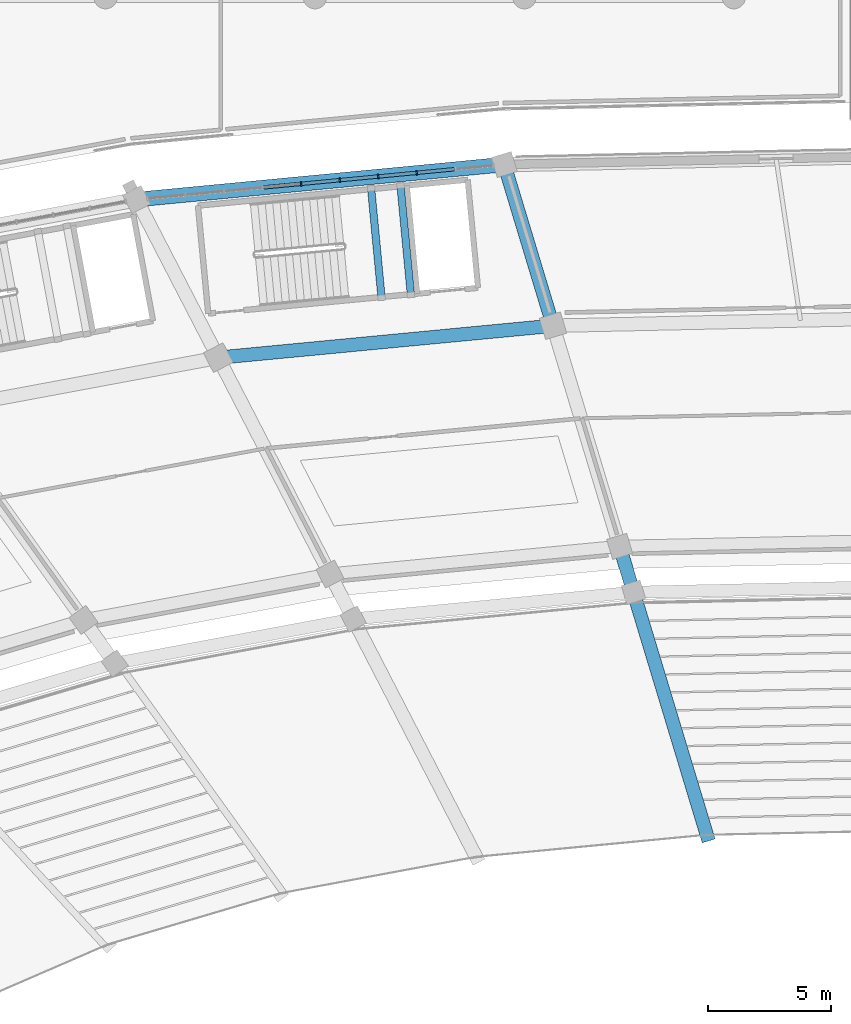
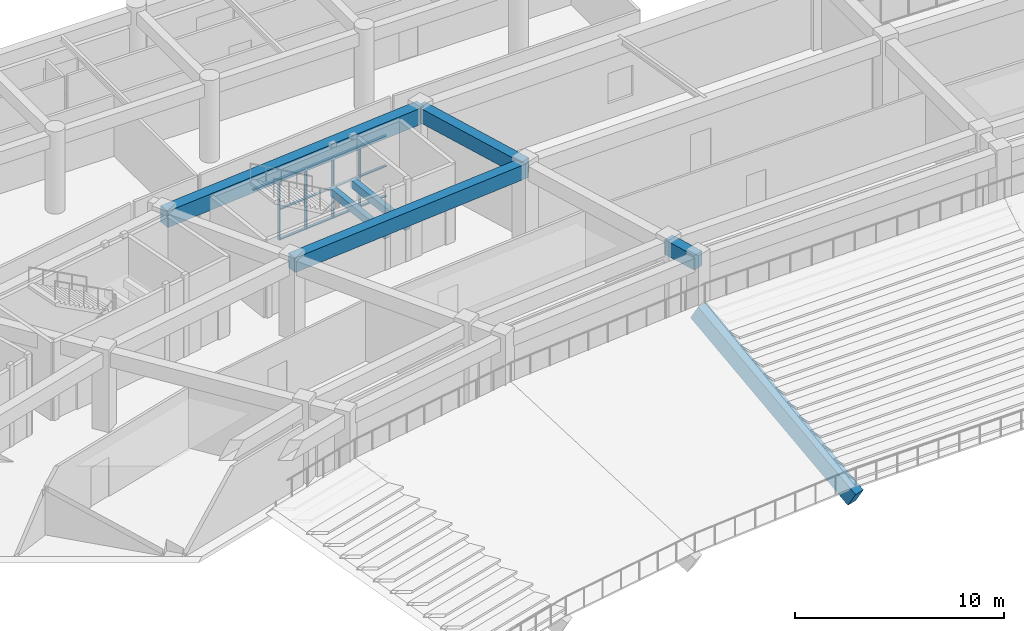
# One storey, part 64 of 152: 17 members, 7 beams, 1 element without a shape of its own.
"""IFC4 building model written with IfcOpenShell, lengths in metres."""

from ifc_helpers import new_model, si_unit, direction, frame, origin, origin_2d, place, context, subcontext, project, spatial, rectangle, extrude, material, layer, layer_set, material_profile, profile_set, type_object, element, aggregate, save


model = new_model("IFC4")

# Units and contexts
model_context = context("Model", 3, precision=1e-05, world=origin(), true_north=direction((0.0, 1.0)))
body_context = subcontext(model_context, "Body", "Model", "MODEL_VIEW")
ifc_project = project(units=[si_unit("LENGTHUNIT", "METRE"), si_unit("AREAUNIT", "SQUARE_METRE"), si_unit("VOLUMEUNIT", "CUBIC_METRE"), si_unit("PLANEANGLEUNIT", "RADIAN"), si_unit("MASSUNIT", "GRAM", prefix="KILO")], contexts=[model_context])

# Site, building, storey
site_placement = place(None, origin())
site = spatial("IfcSite", under=ifc_project, at=site_placement, CompositionType="ELEMENT")
building_placement = place(site_placement, origin())
building = spatial("IfcBuilding", under=site, at=building_placement, Name="Mphavela Belvedere Stadium", CompositionType="ELEMENT")
storey_placement = place(building_placement, frame((0.0, 0.0, 5.39990234375)))
storey = spatial("IfcBuildingStorey", under=building, at=storey_placement, Name="L01", CompositionType="ELEMENT", Elevation=5.39990234375)

# Beams
ifc_material_1 = material(Name="Concrete C40/50", Category="concrete")
ifc_material_profile_1 = material_profile(ifc_material_1, rectangle(XDim=0.60009765625, YDim=0.949951171875, at=origin_2d()), Name="RC 600x950")
ifc_profile_set_1 = profile_set([ifc_material_profile_1], Name="Concrete C40/50")
beam_type_1 = type_object("IfcBeamType", Name="BM-ENTABLATURE-950", PredefinedType="SPANDREL", material=ifc_profile_set_1)
beam_1_placement = place(storey_placement, frame((92.885498046875, 160.19384765625, 4.0751953125), z_axis=(-0.995483415661, -0.094935605244, 0.0), x_axis=(0.094935605244, -0.995483415661, 0.0)))
element("IfcBeam", 1, at=beam_1_placement, inside=storey, type_object=beam_type_1, Name="Circumferential girder L01 R4-14", PredefinedType="SPANDREL", context=body_context, shape_type="SweptSolid", body=[
    extrude(rectangle(XDim=0.60009765625, YDim=0.949951171875, at=origin_2d()), origin(), (0.0, 0.0, 1.0), 15.026123046875),
])
ifc_material_2 = material(Name="Precast concrete C45/55", Category="concrete")
ifc_material_profile_2 = material_profile(ifc_material_2, rectangle(XDim=0.550048828125, YDim=1.0, at=origin_2d()), Name="PC 550x1000")
ifc_profile_set_2 = profile_set([ifc_material_profile_2], Name="Precast concrete C45/55")
beam_type_2 = type_object("IfcBeamType", Name="BM-RAKER-LOWER", PredefinedType="USERDEFINED", material=ifc_profile_set_2)
beam_2_placement = place(storey_placement, frame((101.126220703125, 132.918701171875, -4.75), z_axis=(-0.250007753773, 0.827460196511, 0.502797917899), x_axis=(-0.957260966392, -0.289225590538, 0.0)))
element("IfcBeam", 2, at=beam_2_placement, inside=storey, type_object=beam_type_2, Name="Lower tier precast raker beam RK-L-14", ObjectType="RAKER BEAM", PredefinedType="USERDEFINED", context=body_context, shape_type="SweptSolid", body=[
    extrude(rectangle(XDim=0.550048828125, YDim=1.0, at=origin_2d()), origin(), (0.0, 0.0, 1.0), 11.93310546875),
])
ifc_material_3 = material(Name="Concrete C40/50", Category="concrete")
ifc_material_profile_3 = material_profile(ifc_material_3, rectangle(XDim=0.300048828125, YDim=0.449951171875, at=origin_2d()), Name="RC 300x450")
ifc_profile_set_3 = profile_set([ifc_material_profile_3], Name="Concrete C40/50")
beam_type_3 = type_object("IfcBeamType", Name="BM-RC300x450", PredefinedType="BEAM", material=ifc_profile_set_3)
for number, where, z_axis, x_axis, name in (
    (3, (87.893798828125, 154.77294921875, 1.97509765625), (-0.094976620198, 0.995479503363, 0.0), (-0.995479503363, -0.094976620198, 0.0), "Core C04 landing trimmer beam L01-1"),
    (4, (89.08837890625, 154.886962890625, 1.97509765625), (-0.094976620198, 0.995479503363, 0.0), (-0.995479503363, -0.094976620198, 0.0), "Core C04 landing trimmer beam L01-2"),
):
    element("IfcBeam", number, at=place(storey_placement, frame(where, z_axis=z_axis, x_axis=x_axis)), inside=storey, type_object=beam_type_3, Name=name, PredefinedType="BEAM", context=body_context, shape_type="SweptSolid", body=[
        extrude(rectangle(XDim=0.300048828125, YDim=0.449951171875, at=origin_2d()), origin(), (0.0, 0.0, 1.0), 4.47021484375),
    ])
ifc_material_4 = material(Name="Concrete C40/50", Category="concrete")
ifc_material_profile_4 = material_profile(ifc_material_4, rectangle(XDim=0.550048828125, YDim=0.85009765625, at=origin_2d()), Name="RC 550x850")
ifc_profile_set_4 = profile_set([ifc_material_profile_4], Name="Concrete C40/50")
beam_type_4 = type_object("IfcBeamType", Name="BM-RC550x850", PredefinedType="BEAM", material=ifc_profile_set_4)
beam_3_placement = place(storey_placement, frame((94.8671875, 153.634033203125, 4.125), z_axis=(-0.995483834103, -0.094931217412, 0.0), x_axis=(0.094931217412, -0.995483834103, 0.0)))
element("IfcBeam", 5, at=beam_3_placement, inside=storey, type_object=beam_type_4, Name="Circumferential girder L01 R3-14", PredefinedType="BEAM", context=body_context, shape_type="SweptSolid", body=[
    extrude(rectangle(XDim=0.550048828125, YDim=0.85009765625, at=origin_2d()), origin(), (0.0, 0.0, 1.0), 13.67919921875),
])
beam_4_placement = place(storey_placement, frame((98.142822265625, 142.79296875, 4.125), z_axis=(-0.289175820075, 0.957276002563, 0.0), x_axis=(-0.957276002563, -0.289175820075, 0.0)))
element("IfcBeam", 6, at=beam_4_placement, inside=storey, type_object=beam_type_4, Name="Radial concourse girder L01 R1R2-14", PredefinedType="BEAM", context=body_context, shape_type="SweptSolid", body=[
    extrude(rectangle(XDim=0.550048828125, YDim=0.85009765625, at=origin_2d()), origin(), (0.0, 0.0, 1.0), 1.94775390625),
])
beam_5_placement = place(storey_placement, frame((94.8671875, 153.634033203125, 4.125), z_axis=(-0.28918755919, 0.95727245631, 0.0), x_axis=(-0.95727245631, -0.28918755919, 0.0)))
element("IfcBeam", 7, at=beam_5_placement, inside=storey, type_object=beam_type_4, Name="Radial concourse girder L01 R3R4-14", PredefinedType="BEAM", context=body_context, shape_type="SweptSolid", body=[
    extrude(rectangle(XDim=0.550048828125, YDim=0.85009765625, at=origin_2d()), origin(), (0.0, 0.0, 1.0), 6.8525390625),
])

# Curtain wall, members
ifc_material_5 = material(Name="Anodised bronze unitised curtain wall framing")
ifc_layer = layer(ifc_material_5, 0.18505859375)
ifc_layer_set = layer_set([ifc_layer], Name="Anodised bronze unitised curtain wall framing")
curtain_wall_type = type_object("IfcCurtainWallType", Name="CW-UNIT-02", PredefinedType="USERDEFINED", material=ifc_layer_set)
curtain_wall_placement = place(storey_placement, origin())
curtain_wall = element("IfcCurtainWall", 8, at=curtain_wall_placement, inside=storey, type_object=curtain_wall_type, Name="Belvedere colonnade curtain wall L01-14", ObjectType="UNITISED CURTAIN WALL", PredefinedType="USERDEFINED")
ifc_material_6 = material(Name="Anodised bronze extruded aluminium", Category="aluminium")
ifc_material_profile_5 = material_profile(ifc_material_6, rectangle(XDim=0.179931640625, YDim=0.06494140625, at=origin_2d()), Name="CW-MUL 180x65")
ifc_profile_set_5 = profile_set([ifc_material_profile_5], Name="Anodised bronze extruded aluminium")
member_type_1 = type_object("IfcMemberType", Name="CWM-180x65", PredefinedType="MULLION", material=ifc_profile_set_5)
member_1_placement = place(storey_placement, frame((89.327392578125, 159.8544921875, 0.0), z_axis=(0.0, 0.0, 1.0), x_axis=(0.094922243726, -0.99548468981, 0.0)))
member_1 = element("IfcMember", 9, at=member_1_placement, type_object=member_type_1, Name="CW-02 mullion 3", PredefinedType="MULLION", context=body_context, shape_type="SweptSolid", body=[
    extrude(rectangle(XDim=0.179931640625, YDim=0.06494140625, at=origin_2d()), origin(), (0.0, 0.0, 1.0), 3.570068359375),
])
member_2_placement = place(storey_placement, frame((87.759033203125, 159.704833984375, 0.0), z_axis=(0.0, 0.0, 1.0), x_axis=(0.094922243726, -0.99548468981, 0.0)))
member_2 = element("IfcMember", 10, at=member_2_placement, type_object=member_type_1, Name="CW-02 mullion 4", PredefinedType="MULLION", context=body_context, shape_type="SweptSolid", body=[
    extrude(rectangle(XDim=0.179931640625, YDim=0.06494140625, at=origin_2d()), origin(), (0.0, 0.0, 1.0), 3.570068359375),
])
member_3_placement = place(storey_placement, frame((86.1904296875, 159.555419921875, 0.0), z_axis=(0.0, 0.0, 1.0), x_axis=(0.094922243726, -0.99548468981, 0.0)))
member_3 = element("IfcMember", 11, at=member_3_placement, type_object=member_type_1, Name="CW-02 mullion 5", PredefinedType="MULLION", context=body_context, shape_type="SweptSolid", body=[
    extrude(rectangle(XDim=0.179931640625, YDim=0.06494140625, at=origin_2d()), origin(), (0.0, 0.0, 1.0), 3.570068359375),
])
member_4_placement = place(storey_placement, frame((84.6220703125, 159.40576171875, 0.0), z_axis=(0.0, 0.0, 1.0), x_axis=(0.094922243726, -0.99548468981, 0.0)))
member_4 = element("IfcMember", 12, at=member_4_placement, type_object=member_type_1, Name="CW-02 mullion 6", PredefinedType="MULLION", context=body_context, shape_type="SweptSolid", body=[
    extrude(rectangle(XDim=0.179931640625, YDim=0.06494140625, at=origin_2d()), origin(), (0.0, 0.0, 1.0), 3.570068359375),
])
ifc_material_7 = material(Name="Anodised bronze extruded aluminium", Category="aluminium")
ifc_material_profile_6 = material_profile(ifc_material_7, rectangle(XDim=0.139892578125, YDim=0.06005859375, at=origin_2d()), Name="CW-TRN 140x60")
ifc_profile_set_6 = profile_set([ifc_material_profile_6], Name="Anodised bronze extruded aluminium")
member_type_2 = type_object("IfcMemberType", Name="CWT-140x60", PredefinedType="USERDEFINED", material=ifc_profile_set_6)
member_5_placement = place(storey_placement, frame((90.863525390625, 160.0009765625, 0.030029296875), z_axis=(-0.99548893232, -0.094877740424, 0.0), x_axis=(0.094877740424, -0.99548893232, 0.0)))
member_5 = element("IfcMember", 13, at=member_5_placement, type_object=member_type_2, Name="CW-02 transom 2.1", ObjectType="TRANSOM", PredefinedType="USERDEFINED", context=body_context, shape_type="SweptSolid", body=[
    extrude(rectangle(XDim=0.139892578125, YDim=0.06005859375, at=origin_2d()), origin(), (0.0, 0.0, 1.0), 1.510498046875),
])
member_6_placement = place(storey_placement, frame((90.863525390625, 160.0009765625, 1.78515625), z_axis=(-0.99548893232, -0.094877740424, 0.0), x_axis=(0.094877740424, -0.99548893232, 0.0)))
member_6 = element("IfcMember", 14, at=member_6_placement, type_object=member_type_2, Name="CW-02 transom 2.2", ObjectType="TRANSOM", PredefinedType="USERDEFINED", context=body_context, shape_type="SweptSolid", body=[
    extrude(rectangle(XDim=0.139892578125, YDim=0.06005859375, at=origin_2d()), origin(), (0.0, 0.0, 1.0), 1.510498046875),
])
member_7_placement = place(storey_placement, frame((90.863525390625, 160.0009765625, 3.5400390625), z_axis=(-0.99548893232, -0.094877740424, 0.0), x_axis=(0.094877740424, -0.99548893232, 0.0)))
member_7 = element("IfcMember", 15, at=member_7_placement, type_object=member_type_2, Name="CW-02 transom 2.3", ObjectType="TRANSOM", PredefinedType="USERDEFINED", context=body_context, shape_type="SweptSolid", body=[
    extrude(rectangle(XDim=0.139892578125, YDim=0.06005859375, at=origin_2d()), origin(), (0.0, 0.0, 1.0), 1.510498046875),
])
member_8_placement = place(storey_placement, frame((89.295166015625, 159.851318359375, 0.030029296875), z_axis=(-0.995490386942, -0.094862476808, 0.0), x_axis=(0.094862476808, -0.995490386942, 0.0)))
member_8 = element("IfcMember", 16, at=member_8_placement, type_object=member_type_2, Name="CW-02 transom 3.1", ObjectType="TRANSOM", PredefinedType="USERDEFINED", context=body_context, shape_type="SweptSolid", body=[
    extrude(rectangle(XDim=0.139892578125, YDim=0.06005859375, at=origin_2d()), origin(), (0.0, 0.0, 1.0), 1.5107421875),
])
member_9_placement = place(storey_placement, frame((89.295166015625, 159.851318359375, 1.78515625), z_axis=(-0.995490386942, -0.094862476808, 0.0), x_axis=(0.094862476808, -0.995490386942, 0.0)))
member_9 = element("IfcMember", 17, at=member_9_placement, type_object=member_type_2, Name="CW-02 transom 3.2", ObjectType="TRANSOM", PredefinedType="USERDEFINED", context=body_context, shape_type="SweptSolid", body=[
    extrude(rectangle(XDim=0.139892578125, YDim=0.06005859375, at=origin_2d()), origin(), (0.0, 0.0, 1.0), 1.5107421875),
])
member_10_placement = place(storey_placement, frame((89.295166015625, 159.851318359375, 3.5400390625), z_axis=(-0.995490386942, -0.094862476808, 0.0), x_axis=(0.094862476808, -0.995490386942, 0.0)))
member_10 = element("IfcMember", 18, at=member_10_placement, type_object=member_type_2, Name="CW-02 transom 3.3", ObjectType="TRANSOM", PredefinedType="USERDEFINED", context=body_context, shape_type="SweptSolid", body=[
    extrude(rectangle(XDim=0.139892578125, YDim=0.06005859375, at=origin_2d()), origin(), (0.0, 0.0, 1.0), 1.5107421875),
])
member_11_placement = place(storey_placement, frame((87.7265625, 159.701904296875, 0.030029296875), z_axis=(-0.995473653607, -0.09503791335, 0.0), x_axis=(0.09503791335, -0.995473653607, 0.0)))
member_11 = element("IfcMember", 19, at=member_11_placement, type_object=member_type_2, Name="CW-02 transom 4.1", ObjectType="TRANSOM", PredefinedType="USERDEFINED", context=body_context, shape_type="SweptSolid", body=[
    extrude(rectangle(XDim=0.139892578125, YDim=0.06005859375, at=origin_2d()), origin(), (0.0, 0.0, 1.0), 1.510498046875),
])
member_12_placement = place(storey_placement, frame((87.7265625, 159.701904296875, 1.78515625), z_axis=(-0.995473653607, -0.09503791335, 0.0), x_axis=(0.09503791335, -0.995473653607, 0.0)))
member_12 = element("IfcMember", 20, at=member_12_placement, type_object=member_type_2, Name="CW-02 transom 4.2", ObjectType="TRANSOM", PredefinedType="USERDEFINED", context=body_context, shape_type="SweptSolid", body=[
    extrude(rectangle(XDim=0.139892578125, YDim=0.06005859375, at=origin_2d()), origin(), (0.0, 0.0, 1.0), 1.510498046875),
])
member_13_placement = place(storey_placement, frame((87.7265625, 159.701904296875, 3.5400390625), z_axis=(-0.995473653607, -0.09503791335, 0.0), x_axis=(0.09503791335, -0.995473653607, 0.0)))
member_13 = element("IfcMember", 21, at=member_13_placement, type_object=member_type_2, Name="CW-02 transom 4.3", ObjectType="TRANSOM", PredefinedType="USERDEFINED", context=body_context, shape_type="SweptSolid", body=[
    extrude(rectangle(XDim=0.139892578125, YDim=0.06005859375, at=origin_2d()), origin(), (0.0, 0.0, 1.0), 1.510498046875),
])
member_14_placement = place(storey_placement, frame((86.158203125, 159.55224609375, 0.030029296875), z_axis=(-0.99548893232, -0.094877740424, 0.0), x_axis=(0.094877740424, -0.99548893232, 0.0)))
member_14 = element("IfcMember", 22, at=member_14_placement, type_object=member_type_2, Name="CW-02 transom 5.1", ObjectType="TRANSOM", PredefinedType="USERDEFINED", context=body_context, shape_type="SweptSolid", body=[
    extrude(rectangle(XDim=0.139892578125, YDim=0.06005859375, at=origin_2d()), origin(), (0.0, 0.0, 1.0), 1.510498046875),
])
member_15_placement = place(storey_placement, frame((86.158203125, 159.55224609375, 1.78515625), z_axis=(-0.99548893232, -0.094877740424, 0.0), x_axis=(0.094877740424, -0.99548893232, 0.0)))
member_15 = element("IfcMember", 23, at=member_15_placement, type_object=member_type_2, Name="CW-02 transom 5.2", ObjectType="TRANSOM", PredefinedType="USERDEFINED", context=body_context, shape_type="SweptSolid", body=[
    extrude(rectangle(XDim=0.139892578125, YDim=0.06005859375, at=origin_2d()), origin(), (0.0, 0.0, 1.0), 1.510498046875),
])
member_16_placement = place(storey_placement, frame((86.158203125, 159.55224609375, 3.5400390625), z_axis=(-0.99548893232, -0.094877740424, 0.0), x_axis=(0.094877740424, -0.99548893232, 0.0)))
member_16 = element("IfcMember", 24, at=member_16_placement, type_object=member_type_2, Name="CW-02 transom 5.3", ObjectType="TRANSOM", PredefinedType="USERDEFINED", context=body_context, shape_type="SweptSolid", body=[
    extrude(rectangle(XDim=0.139892578125, YDim=0.06005859375, at=origin_2d()), origin(), (0.0, 0.0, 1.0), 1.510498046875),
])
member_17_placement = place(storey_placement, frame((84.58984375, 159.40283203125, 3.5400390625), z_axis=(-0.995475113122, -0.095022624434, 0.0), x_axis=(0.095022624434, -0.995475113122, 0.0)))
member_17 = element("IfcMember", 25, at=member_17_placement, type_object=member_type_2, Name="CW-02 transom 6.3", ObjectType="TRANSOM", PredefinedType="USERDEFINED", context=body_context, shape_type="SweptSolid", body=[
    extrude(rectangle(XDim=0.139892578125, YDim=0.06005859375, at=origin_2d()), origin(), (0.0, 0.0, 1.0), 1.5107421875),
])
aggregate(curtain_wall, [member_1, member_2, member_3, member_4, member_5, member_6, member_7, member_8, member_9, member_10, member_11, member_12, member_13, member_14, member_15, member_16, member_17])

save(model, "model.ifc")
